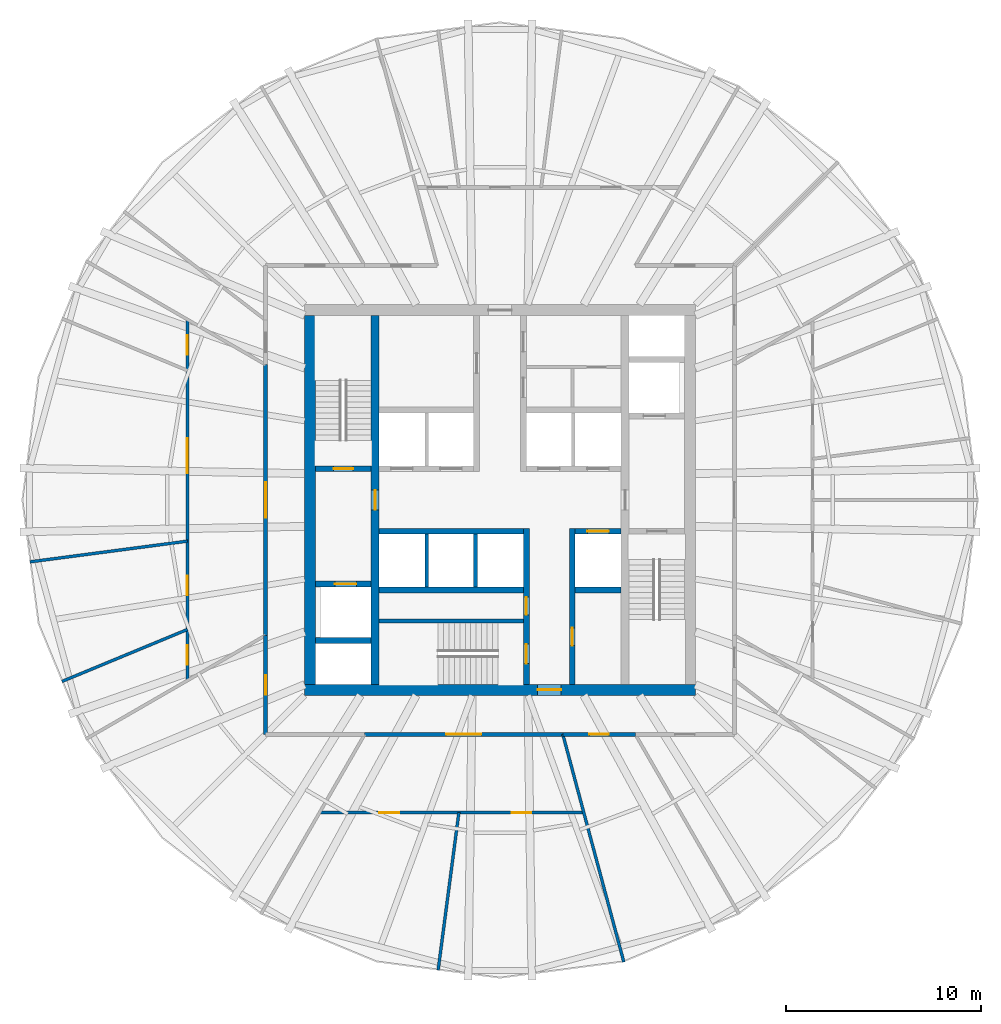
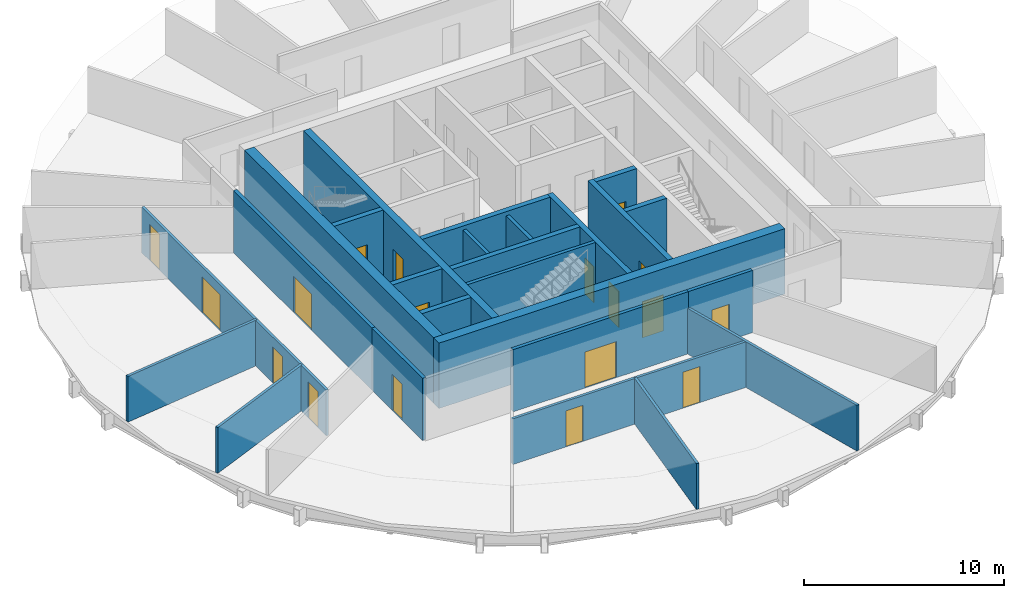
# One storey, part 3 of 6: 25 walls, 18 doors, 18 openings.
"""IFC4 building model written with IfcOpenShell, lengths in metres."""

from ifc_helpers import new_model, si_unit, direction, frame, frame_2d, origin, place, context, subcontext, project, spatial, rectangle, extrude, material, layer, layer_set, type_object, element, fill, save


model = new_model("IFC4")

# Units and contexts
model_context = context("Model", 3, precision=1e-05, world=origin(), true_north=direction((0.0, 1.0)))
body_context = subcontext(model_context, "Body", "Model", "MODEL_VIEW")
ifc_project = project(units=[si_unit("LENGTHUNIT", "METRE"), si_unit("AREAUNIT", "SQUARE_METRE"), si_unit("VOLUMEUNIT", "CUBIC_METRE"), si_unit("PLANEANGLEUNIT", "RADIAN"), si_unit("MASSUNIT", "GRAM", prefix="KILO")], contexts=[model_context])

# Site, building, storey
site_placement = place(None, origin())
site = spatial("IfcSite", under=ifc_project, at=site_placement, CompositionType="ELEMENT")
building_placement = place(site_placement, origin())
building = spatial("IfcBuilding", under=site, at=building_placement, Name="Golbaran Civic Tower", CompositionType="ELEMENT")
storey_placement = place(building_placement, frame((0.0, 0.0, 114.0)))
storey = spatial("IfcBuildingStorey", under=building, at=storey_placement, Name="L27", CompositionType="ELEMENT", Elevation=114.0)

# Wall, opening, door
ifc_material_1 = material(Name="Concrete C50/60", Category="concrete")
ifc_layer_1 = layer(ifc_material_1, 0.39990234375, Name="Concrete C50/60")
ifc_layer_set_1 = layer_set([ifc_layer_1], Name="Concrete C50/60")
wall_type_1 = type_object("IfcWallType", Name="CORE WALL CONCRETE 400", PredefinedType="SOLIDWALL", material=ifc_layer_set_1)
wall_1_placement = place(storey_placement, frame((-6.39990234375, -9.449951171875, 0.0), z_axis=(0.0, 0.0, 1.0), x_axis=(0.0, 1.0, 0.0)))
wall_1 = element("IfcWall", 1, at=wall_1_placement, inside=storey, type_object=wall_type_1, Name="Core wall IW L27", PredefinedType="SOLIDWALL", context=body_context, shape_type="SweptSolid", body=[
    extrude(rectangle(XDim=18.89990234375, YDim=0.39990234375, at=frame_2d((9.449951171875, 0.0))), origin(), (0.0, 0.0, 1.0), 4.0),
])
opening_1_placement = place(wall_1_placement, frame((8.949951171875, 0.0, 0.0)))
opening_1 = element("IfcOpeningElement", 2, at=opening_1_placement, cuts=wall_1, Name="Opening L27.FL1", PredefinedType="OPENING", context=body_context, shape_type="SweptSolid", body=[
    extrude(rectangle(XDim=1.0, YDim=2.199951171875, at=frame_2d((0.5, 1.10009765625))), frame((0.0, 0.2099609375, 0.0), z_axis=(0.0, -1.0, 0.0), x_axis=(1.0, 0.0, 0.0)), (0.0, 0.0, 1.0), 0.419921875),
])
ifc_material_2 = material(Name="Timber door set in steel frame", Category="steel")
door_type_1 = type_object("IfcDoorType", Name="STAIR DOOR 1000x2200", OperationType="SINGLE_SWING_LEFT", PredefinedType="DOOR", material=ifc_material_2)
door_1_placement = place(opening_1_placement, origin())
door_1 = element("IfcDoor", 3, at=door_1_placement, inside=storey, type_object=door_type_1, Name="Fire-fighting lobby FL1 door", OperationType="SINGLE_SWING_LEFT", OverallHeight=2.199951171875, OverallWidth=1.0, PredefinedType="DOOR", context=body_context, shape_type="SweptSolid", body=[
    extrude(rectangle(XDim=1.0, YDim=2.199951171875, at=frame_2d((0.5, 1.10009765625))), frame((0.0, 0.02490234375, 0.0), z_axis=(0.0, -1.0, 0.0), x_axis=(1.0, 0.0, 0.0)), (0.0, 0.0, 1.0), 0.050048828125),
])
fill(opening_1, door_1)

ifc_layer_2 = layer(ifc_material_1, 0.550048828125, Name="Concrete C50/60")
ifc_layer_set_2 = layer_set([ifc_layer_2], Name="Concrete C50/60")
wall_type_2 = type_object("IfcWallType", Name="CORE WALL CONCRETE 550", PredefinedType="SOLIDWALL", material=ifc_layer_set_2)
wall_2_placement = place(storey_placement, frame((10.0, -9.72509765625, 0.0), z_axis=(0.0, 0.0, 1.0), x_axis=(-1.0, 0.0, 0.0)))
wall_2 = element("IfcWall", 4, at=wall_2_placement, inside=storey, type_object=wall_type_2, Name="Core wall CS L27", PredefinedType="SOLIDWALL", context=body_context, shape_type="SweptSolid", body=[
    extrude(rectangle(XDim=20.0, YDim=0.550048828125, at=frame_2d((10.0, 0.0))), origin(), (0.0, 0.0, 1.0), 4.0),
])
opening_2_placement = place(wall_2_placement, frame((6.875, 0.0, 0.0)))
opening_2 = element("IfcOpeningElement", 5, at=opening_2_placement, cuts=wall_2, Name="Opening L27.CS", PredefinedType="OPENING", context=body_context, shape_type="SweptSolid", body=[
    extrude(rectangle(XDim=1.199951171875, YDim=2.199951171875, at=frame_2d((0.60009765625, 1.10009765625))), frame((0.0, 0.284912109375, 0.0), z_axis=(0.0, -1.0, 0.0), x_axis=(1.0, 0.0, 0.0)), (0.0, 0.0, 1.0), 0.570068359375),
])
door_type_2 = type_object("IfcDoorType", Name="CORE DOOR 1200x2200", OperationType="DOUBLE_DOOR_SINGLE_SWING", PredefinedType="DOOR", material=ifc_material_2)
door_2_placement = place(opening_2_placement, origin())
door_2 = element("IfcDoor", 6, at=door_2_placement, inside=storey, type_object=door_type_2, Name="Core door south", OperationType="DOUBLE_DOOR_SINGLE_SWING", OverallHeight=2.199951171875, OverallWidth=1.199951171875, PredefinedType="DOOR", context=body_context, shape_type="SweptSolid", body=[
    extrude(rectangle(XDim=1.199951171875, YDim=2.199951171875, at=frame_2d((0.60009765625, 1.10009765625))), frame((0.0, 0.02490234375, 0.0), z_axis=(0.0, -1.0, 0.0), x_axis=(1.0, 0.0, 0.0)), (0.0, 0.0, 1.0), 0.050048828125),
])
fill(opening_2, door_2)

# Wall
wall_3_placement = place(storey_placement, frame((-9.72509765625, 9.449951171875, 0.0), z_axis=(0.0, 0.0, 1.0), x_axis=(0.0, -1.0, 0.0)))
element("IfcWall", 7, at=wall_3_placement, inside=storey, type_object=wall_type_2, Name="Core wall CW L27", PredefinedType="SOLIDWALL", context=body_context, shape_type="SweptSolid", body=[
    extrude(rectangle(XDim=18.89990234375, YDim=0.550048828125, at=frame_2d((9.449951171875, 0.0))), origin(), (0.0, 0.0, 1.0), 4.0),
])

# Wall, opening, door
ifc_material_3 = material(Name="Gypsum board on steel studs, fire-rated", Category="steel")
ifc_layer_3 = layer(ifc_material_3, 0.199951171875, Name="Gypsum board on steel studs, fire-rated")
ifc_layer_set_3 = layer_set([ifc_layer_3], Name="Gypsum board on steel studs, fire-rated")
wall_type_3 = type_object("IfcWallType", Name="CORRIDOR WALL 200", PredefinedType="PARTITIONING", material=ifc_layer_set_3)
wall_4_placement = place(storey_placement, frame((-12.0, 6.92822265625, 0.0), z_axis=(0.0, 0.0, 1.0), x_axis=(0.0, -1.0, 0.0)))
wall_4 = element("IfcWall", 8, at=wall_4_placement, inside=storey, type_object=wall_type_3, Name="Corridor wall L27", PredefinedType="PARTITIONING", context=body_context, shape_type="SweptSolid", body=[
    extrude(rectangle(XDim=13.8564453125, YDim=0.199951171875, at=frame_2d((6.92822265625, 0.0))), origin(), (0.0, 0.0, 1.0), 3.800048828125),
])
opening_3_placement = place(wall_4_placement, frame((6.0283203125, 0.0, 0.0)))
opening_3 = element("IfcOpeningElement", 9, at=opening_3_placement, cuts=wall_4, Name="Opening L27.21", PredefinedType="OPENING", context=body_context, shape_type="SweptSolid", body=[
    extrude(rectangle(XDim=1.800048828125, YDim=2.199951171875, at=frame_2d((0.89990234375, 1.10009765625))), frame((0.0, 0.10986328125, 0.0), z_axis=(0.0, -1.0, 0.0), x_axis=(1.0, 0.0, 0.0)), (0.0, 0.0, 1.0), 0.219970703125),
])
door_type_3 = type_object("IfcDoorType", Name="OFFICE DOUBLE DOOR 1800x2200", OperationType="DOUBLE_DOOR_SINGLE_SWING", PredefinedType="DOOR", material=ifc_material_2)
door_3_placement = place(opening_3_placement, origin())
door_3 = element("IfcDoor", 10, at=door_3_placement, inside=storey, type_object=door_type_3, Name="Secretariat door L27", OperationType="DOUBLE_DOOR_SINGLE_SWING", OverallHeight=2.199951171875, OverallWidth=1.800048828125, PredefinedType="DOOR", context=body_context, shape_type="SweptSolid", body=[
    extrude(rectangle(XDim=1.800048828125, YDim=2.199951171875, at=frame_2d((0.89990234375, 1.10009765625))), frame((0.0, 0.02490234375, 0.0), z_axis=(0.0, -1.0, 0.0), x_axis=(1.0, 0.0, 0.0)), (0.0, 0.0, 1.0), 0.050048828125),
])
fill(opening_3, door_3)

wall_5_placement = place(storey_placement, frame((-12.0, -6.92822265625, 0.0), z_axis=(0.0, 0.0, 1.0), x_axis=(0.0, -1.0, 0.0)))
wall_5 = element("IfcWall", 11, at=wall_5_placement, inside=storey, type_object=wall_type_3, Name="Corridor wall L27", PredefinedType="PARTITIONING", context=body_context, shape_type="SweptSolid", body=[
    extrude(rectangle(XDim=5.07177734375, YDim=0.199951171875, at=frame_2d((2.535888671875, 0.0))), origin(), (0.0, 0.0, 1.0), 3.800048828125),
])
opening_4_placement = place(wall_5_placement, frame((2.035888671875, 0.0, 0.0)))
opening_4 = element("IfcOpeningElement", 12, at=opening_4_placement, cuts=wall_5, Name="Opening L27.22", PredefinedType="OPENING", context=body_context, shape_type="SweptSolid", body=[
    extrude(rectangle(XDim=1.0, YDim=2.199951171875, at=frame_2d((0.5, 1.10009765625))), frame((0.0, 0.10986328125, 0.0), z_axis=(0.0, -1.0, 0.0), x_axis=(1.0, 0.0, 0.0)), (0.0, 0.0, 1.0), 0.219970703125),
])
door_type_4 = type_object("IfcDoorType", Name="OFFICE DOOR 1000x2200", OperationType="SINGLE_SWING_LEFT", PredefinedType="DOOR", material=ifc_material_2)
door_4_placement = place(opening_4_placement, origin())
door_4 = element("IfcDoor", 13, at=door_4_placement, inside=storey, type_object=door_type_4, Name="File Room door L27", OperationType="SINGLE_SWING_RIGHT", OverallHeight=2.199951171875, OverallWidth=1.0, PredefinedType="DOOR", context=body_context, shape_type="SweptSolid", body=[
    extrude(rectangle(XDim=1.0, YDim=2.199951171875, at=frame_2d((0.5, 1.10009765625))), frame((0.0, 0.02490234375, 0.0), z_axis=(0.0, -1.0, 0.0), x_axis=(1.0, 0.0, 0.0)), (0.0, 0.0, 1.0), 0.050048828125),
])
fill(opening_4, door_4)

wall_6_placement = place(storey_placement, frame((-6.92822265625, -12.0, 0.0), z_axis=(0.0, 0.0, 1.0), x_axis=(1.0, 0.0, 0.0)))
wall_6 = element("IfcWall", 14, at=wall_6_placement, inside=storey, type_object=wall_type_3, Name="Corridor wall L27", PredefinedType="PARTITIONING", context=body_context, shape_type="SweptSolid", body=[
    extrude(rectangle(XDim=10.1435546875, YDim=0.199951171875, at=frame_2d((5.07177734375, 0.0))), origin(), (0.0, 0.0, 1.0), 3.800048828125),
])
opening_5_placement = place(wall_6_placement, frame((4.171875, 0.0, 0.0)))
opening_5 = element("IfcOpeningElement", 15, at=opening_5_placement, cuts=wall_6, Name="Opening L27.23", PredefinedType="OPENING", context=body_context, shape_type="SweptSolid", body=[
    extrude(rectangle(XDim=1.800048828125, YDim=2.199951171875, at=frame_2d((0.89990234375, 1.10009765625))), frame((0.0, 0.10986328125, 0.0), z_axis=(0.0, -1.0, 0.0), x_axis=(1.0, 0.0, 0.0)), (0.0, 0.0, 1.0), 0.219970703125),
])
door_5_placement = place(opening_5_placement, origin())
door_5 = element("IfcDoor", 16, at=door_5_placement, inside=storey, type_object=door_type_3, Name="Secretariat door L27", OperationType="DOUBLE_DOOR_SINGLE_SWING", OverallHeight=2.199951171875, OverallWidth=1.800048828125, PredefinedType="DOOR", context=body_context, shape_type="SweptSolid", body=[
    extrude(rectangle(XDim=1.800048828125, YDim=2.199951171875, at=frame_2d((0.89990234375, 1.10009765625))), frame((0.0, 0.02490234375, 0.0), z_axis=(0.0, -1.0, 0.0), x_axis=(1.0, 0.0, 0.0)), (0.0, 0.0, 1.0), 0.050048828125),
])
fill(opening_5, door_5)

wall_7_placement = place(storey_placement, frame((3.21533203125, -12.0, 0.0), z_axis=(0.0, 0.0, 1.0), x_axis=(1.0, 0.0, 0.0)))
wall_7 = element("IfcWall", 17, at=wall_7_placement, inside=storey, type_object=wall_type_3, Name="Corridor wall L27", PredefinedType="PARTITIONING", context=body_context, shape_type="SweptSolid", body=[
    extrude(rectangle(XDim=3.712890625, YDim=0.199951171875, at=frame_2d((1.8564453125, 0.0))), origin(), (0.0, 0.0, 1.0), 3.800048828125),
])
opening_6_placement = place(wall_7_placement, frame((1.3564453125, 0.0, 0.0)))
opening_6 = element("IfcOpeningElement", 18, at=opening_6_placement, cuts=wall_7, Name="Opening L27.24", PredefinedType="OPENING", context=body_context, shape_type="SweptSolid", body=[
    extrude(rectangle(XDim=1.0, YDim=2.199951171875, at=frame_2d((0.5, 1.10009765625))), frame((0.0, 0.10986328125, 0.0), z_axis=(0.0, -1.0, 0.0), x_axis=(1.0, 0.0, 0.0)), (0.0, 0.0, 1.0), 0.219970703125),
])
door_6_placement = place(opening_6_placement, origin())
door_6 = element("IfcDoor", 19, at=door_6_placement, inside=storey, type_object=door_type_4, Name="Meeting Room door L27", OperationType="SINGLE_SWING_LEFT", OverallHeight=2.199951171875, OverallWidth=1.0, PredefinedType="DOOR", context=body_context, shape_type="SweptSolid", body=[
    extrude(rectangle(XDim=1.0, YDim=2.199951171875, at=frame_2d((0.5, 1.10009765625))), frame((0.0, 0.02490234375, 0.0), z_axis=(0.0, -1.0, 0.0), x_axis=(1.0, 0.0, 0.0)), (0.0, 0.0, 1.0), 0.050048828125),
])
fill(opening_6, door_6)

# Walls
ifc_material_4 = material(Name="Concrete block", Category="concrete")
ifc_layer_4 = layer(ifc_material_4, 0.199951171875, Name="Concrete block")
ifc_layer_set_4 = layer_set([ifc_layer_4], Name="Concrete block")
wall_type_4 = type_object("IfcWallType", Name="LIFT SEPARATOR WALL 200", PredefinedType="SOLIDWALL", material=ifc_layer_set_4)
for number, where, z_axis, x_axis, name in (
    (20, (-3.75, -1.75, 0.0), (0.0, 0.0, 1.0), (0.0, -1.0, 0.0), "Core partition SSW L27"),
    (21, (-1.25, -1.75, 0.0), (0.0, 0.0, 1.0), (0.0, -1.0, 0.0), "Core partition SSM L27"),
):
    element("IfcWall", number, at=place(storey_placement, frame(where, z_axis=z_axis, x_axis=x_axis)), inside=storey, type_object=wall_type_4, Name=name, PredefinedType="SOLIDWALL", context=body_context, shape_type="SweptSolid", body=[
        extrude(rectangle(XDim=2.699951171875, YDim=0.199951171875, at=frame_2d((1.35009765625, 0.0))), origin(), (0.0, 0.0, 1.0), 3.75),
    ])
ifc_material_5 = material(Name="Gypsum board on steel studs", Category="steel")
ifc_layer_5 = layer(ifc_material_5, 0.14990234375, Name="Gypsum board on steel studs")
ifc_layer_set_5 = layer_set([ifc_layer_5], Name="Gypsum board on steel studs")
wall_type_5 = type_object("IfcWallType", Name="OFFICE PARTITION 150", PredefinedType="PARTITIONING", material=ifc_layer_set_5)
wall_8_placement = place(storey_placement, frame((3.21533203125, -12.0, 0.0), z_axis=(0.0, 0.0, 1.0), x_axis=(0.258814986396, -0.965926913807, 0.0)))
element("IfcWall", 22, at=wall_8_placement, inside=storey, type_object=wall_type_5, Name="Partition 285 L27", PredefinedType="PARTITIONING", context=body_context, shape_type="SweptSolid", body=[
    extrude(rectangle(XDim=12.06396484375, YDim=0.14990234375, at=frame_2d((6.031982421875, 0.0))), origin(), (0.0, 0.0, 1.0), 2.7900390625),
])

# Wall, openings, doors
wall_9_placement = place(storey_placement, frame((-16.0, 9.237548828125, 0.0), z_axis=(0.0, 0.0, 1.0), x_axis=(0.0, -1.0, 0.0)))
wall_9 = element("IfcWall", 23, at=wall_9_placement, inside=storey, type_object=wall_type_5, Name="Suite partition L27", PredefinedType="PARTITIONING", context=body_context, shape_type="SweptSolid", body=[
    extrude(rectangle(XDim=18.47509765625, YDim=0.14990234375, at=frame_2d((9.237548828125, 0.0))), origin(), (0.0, 0.0, 1.0), 2.7900390625),
])
opening_7_placement = place(wall_9_placement, frame((0.80517578125, 0.0, 0.0)))
opening_7 = element("IfcOpeningElement", 24, at=opening_7_placement, cuts=wall_9, Name="Opening L27.09", PredefinedType="OPENING", context=body_context, shape_type="SweptSolid", body=[
    extrude(rectangle(XDim=1.0, YDim=2.199951171875, at=frame_2d((0.5, 1.10009765625))), frame((0.0, 0.0849609375, 0.0), z_axis=(0.0, -1.0, 0.0), x_axis=(1.0, 0.0, 0.0)), (0.0, 0.0, 1.0), 0.169921875),
])
opening_8_placement = place(wall_9_placement, frame((6.0771484375, 0.0, 0.0)))
opening_8 = element("IfcOpeningElement", 25, at=opening_8_placement, cuts=wall_9, Name="Opening L27.10", PredefinedType="OPENING", context=body_context, shape_type="SweptSolid", body=[
    extrude(rectangle(XDim=1.800048828125, YDim=2.199951171875, at=frame_2d((0.89990234375, 1.10009765625))), frame((0.0, 0.0849609375, 0.0), z_axis=(0.0, -1.0, 0.0), x_axis=(1.0, 0.0, 0.0)), (0.0, 0.0, 1.0), 0.169921875),
])
opening_9_placement = place(wall_9_placement, frame((13.1044921875, 0.0, 0.0)))
opening_9 = element("IfcOpeningElement", 26, at=opening_9_placement, cuts=wall_9, Name="Opening L27.11", PredefinedType="OPENING", context=body_context, shape_type="SweptSolid", body=[
    extrude(rectangle(XDim=1.0, YDim=2.199951171875, at=frame_2d((0.5, 1.10009765625))), frame((0.0, 0.0849609375, 0.0), z_axis=(0.0, -1.0, 0.0), x_axis=(1.0, 0.0, 0.0)), (0.0, 0.0, 1.0), 0.169921875),
])
opening_10_placement = place(wall_9_placement, frame((16.670166015625, 0.0, 0.0)))
opening_10 = element("IfcOpeningElement", 27, at=opening_10_placement, cuts=wall_9, Name="Opening L27.12", PredefinedType="OPENING", context=body_context, shape_type="SweptSolid", body=[
    extrude(rectangle(XDim=1.0, YDim=2.199951171875, at=frame_2d((0.5, 1.10009765625))), frame((0.0, 0.0849609375, 0.0), z_axis=(0.0, -1.0, 0.0), x_axis=(1.0, 0.0, 0.0)), (0.0, 0.0, 1.0), 0.169921875),
])
door_7_placement = place(opening_7_placement, origin())
door_7 = element("IfcDoor", 28, at=door_7_placement, inside=storey, type_object=door_type_4, Name="Director's Office door L27", OperationType="SINGLE_SWING_LEFT", OverallHeight=2.199951171875, OverallWidth=1.0, PredefinedType="DOOR", context=body_context, shape_type="SweptSolid", body=[
    extrude(rectangle(XDim=1.0, YDim=2.199951171875, at=frame_2d((0.5, 1.10009765625))), frame((0.0, 0.02490234375, 0.0), z_axis=(0.0, -1.0, 0.0), x_axis=(1.0, 0.0, 0.0)), (0.0, 0.0, 1.0), 0.050048828125),
])
fill(opening_7, door_7)
door_8_placement = place(opening_9_placement, origin())
door_8 = element("IfcDoor", 29, at=door_8_placement, inside=storey, type_object=door_type_4, Name="Office door L27", OperationType="SINGLE_SWING_RIGHT", OverallHeight=2.199951171875, OverallWidth=1.0, PredefinedType="DOOR", context=body_context, shape_type="SweptSolid", body=[
    extrude(rectangle(XDim=1.0, YDim=2.199951171875, at=frame_2d((0.5, 1.10009765625))), frame((0.0, 0.02490234375, 0.0), z_axis=(0.0, -1.0, 0.0), x_axis=(1.0, 0.0, 0.0)), (0.0, 0.0, 1.0), 0.050048828125),
])
fill(opening_9, door_8)
door_9_placement = place(opening_10_placement, origin())
door_9 = element("IfcDoor", 30, at=door_9_placement, inside=storey, type_object=door_type_4, Name="Office door L27", OperationType="SINGLE_SWING_RIGHT", OverallHeight=2.199951171875, OverallWidth=1.0, PredefinedType="DOOR", context=body_context, shape_type="SweptSolid", body=[
    extrude(rectangle(XDim=1.0, YDim=2.199951171875, at=frame_2d((0.5, 1.10009765625))), frame((0.0, 0.02490234375, 0.0), z_axis=(0.0, -1.0, 0.0), x_axis=(1.0, 0.0, 0.0)), (0.0, 0.0, 1.0), 0.050048828125),
])
fill(opening_10, door_9)
door_10_placement = place(opening_8_placement, origin())
door_10 = element("IfcDoor", 31, at=door_10_placement, inside=storey, type_object=door_type_3, Name="Office door L27", OperationType="DOUBLE_DOOR_SINGLE_SWING", OverallHeight=2.199951171875, OverallWidth=1.800048828125, PredefinedType="DOOR", context=body_context, shape_type="SweptSolid", body=[
    extrude(rectangle(XDim=1.800048828125, YDim=2.199951171875, at=frame_2d((0.89990234375, 1.10009765625))), frame((0.0, 0.02490234375, 0.0), z_axis=(0.0, -1.0, 0.0), x_axis=(1.0, 0.0, 0.0)), (0.0, 0.0, 1.0), 0.050048828125),
])
fill(opening_8, door_10)

# Walls
wall_10_placement = place(storey_placement, frame((-16.0, -2.1064453125, 0.0), z_axis=(0.0, 0.0, 1.0), x_axis=(-0.99144398145, -0.13053287573, 0.0)))
element("IfcWall", 32, at=wall_10_placement, inside=storey, type_object=wall_type_5, Name="Partition 187.5 L27", PredefinedType="PARTITIONING", context=body_context, shape_type="SweptSolid", body=[
    extrude(rectangle(XDim=8.1396484375, YDim=0.14990234375, at=frame_2d((4.06982421875, 0.0))), origin(), (0.0, 0.0, 1.0), 2.7900390625),
])
wall_11_placement = place(storey_placement, frame((-16.0, -6.62744140625, 0.0), z_axis=(0.0, 0.0, 1.0), x_axis=(-0.923876163616, -0.382691565496, 0.0)))
element("IfcWall", 33, at=wall_11_placement, inside=storey, type_object=wall_type_5, Name="Partition 202.5 L27", PredefinedType="PARTITIONING", context=body_context, shape_type="SweptSolid", body=[
    extrude(rectangle(XDim=6.95947265625, YDim=0.14990234375, at=frame_2d((3.479736328125, 0.0))), origin(), (0.0, 0.0, 1.0), 2.7900390625),
])

# Wall, openings, doors
wall_12_placement = place(storey_placement, frame((-9.237548828125, -16.0, 0.0), z_axis=(0.0, 0.0, 1.0), x_axis=(1.0, 0.0, 0.0)))
wall_12 = element("IfcWall", 34, at=wall_12_placement, inside=storey, type_object=wall_type_5, Name="Suite partition L27", PredefinedType="PARTITIONING", context=body_context, shape_type="SweptSolid", body=[
    extrude(rectangle(XDim=13.524658203125, YDim=0.14990234375, at=frame_2d((6.76220703125, 0.0))), origin(), (0.0, 0.0, 1.0), 2.7900390625),
])
opening_11_placement = place(wall_12_placement, frame((3.065673828125, 0.0, 0.0)))
opening_11 = element("IfcOpeningElement", 35, at=opening_11_placement, cuts=wall_12, Name="Opening L27.13", PredefinedType="OPENING", context=body_context, shape_type="SweptSolid", body=[
    extrude(rectangle(XDim=1.0, YDim=2.199951171875, at=frame_2d((0.5, 1.10009765625))), frame((0.0, 0.0849609375, 0.0), z_axis=(0.0, -1.0, 0.0), x_axis=(1.0, 0.0, 0.0)), (0.0, 0.0, 1.0), 0.169921875),
])
opening_12_placement = place(wall_12_placement, frame((9.827880859375, 0.0, 0.0)))
opening_12 = element("IfcOpeningElement", 36, at=opening_12_placement, cuts=wall_12, Name="Opening L27.14", PredefinedType="OPENING", context=body_context, shape_type="SweptSolid", body=[
    extrude(rectangle(XDim=1.0, YDim=2.199951171875, at=frame_2d((0.5, 1.10009765625))), frame((0.0, 0.0849609375, 0.0), z_axis=(0.0, -1.0, 0.0), x_axis=(1.0, 0.0, 0.0)), (0.0, 0.0, 1.0), 0.169921875),
])
door_11_placement = place(opening_11_placement, origin())
door_11 = element("IfcDoor", 37, at=door_11_placement, inside=storey, type_object=door_type_4, Name="Director's Office door L27", OperationType="SINGLE_SWING_LEFT", OverallHeight=2.199951171875, OverallWidth=1.0, PredefinedType="DOOR", context=body_context, shape_type="SweptSolid", body=[
    extrude(rectangle(XDim=1.0, YDim=2.199951171875, at=frame_2d((0.5, 1.10009765625))), frame((0.0, 0.02490234375, 0.0), z_axis=(0.0, -1.0, 0.0), x_axis=(1.0, 0.0, 0.0)), (0.0, 0.0, 1.0), 0.050048828125),
])
fill(opening_11, door_11)
door_12_placement = place(opening_12_placement, origin())
door_12 = element("IfcDoor", 38, at=door_12_placement, inside=storey, type_object=door_type_4, Name="Director's Office door L27", OperationType="SINGLE_SWING_RIGHT", OverallHeight=2.199951171875, OverallWidth=1.0, PredefinedType="DOOR", context=body_context, shape_type="SweptSolid", body=[
    extrude(rectangle(XDim=1.0, YDim=2.199951171875, at=frame_2d((0.5, 1.10009765625))), frame((0.0, 0.02490234375, 0.0), z_axis=(0.0, -1.0, 0.0), x_axis=(1.0, 0.0, 0.0)), (0.0, 0.0, 1.0), 0.050048828125),
])
fill(opening_12, door_12)

# Walls
wall_13_placement = place(storey_placement, frame((-2.1064453125, -16.0, 0.0), z_axis=(0.0, 0.0, 1.0), x_axis=(-0.13053287573, -0.99144398145, 0.0)))
element("IfcWall", 39, at=wall_13_placement, inside=storey, type_object=wall_type_5, Name="Partition 262.5 L27", PredefinedType="PARTITIONING", context=body_context, shape_type="SweptSolid", body=[
    extrude(rectangle(XDim=8.1396484375, YDim=0.14990234375, at=frame_2d((4.06982421875, 0.0))), origin(), (0.0, 0.0, 1.0), 2.7900390625),
])
ifc_layer_6 = layer(ifc_material_1, 0.199951171875, Name="Concrete C50/60")
ifc_layer_set_6 = layer_set([ifc_layer_6], Name="Concrete C50/60")
wall_type_6 = type_object("IfcWallType", Name="SHAFT WALL CONCRETE 200", PredefinedType="SOLIDWALL", material=ifc_layer_set_6)
wall_14_placement = place(storey_placement, frame((-6.199951171875, -6.199951171875, 0.0), z_axis=(0.0, 0.0, 1.0), x_axis=(1.0, 0.0, 0.0)))
element("IfcWall", 40, at=wall_14_placement, inside=storey, type_object=wall_type_6, Name="Core wall S3N L27", PredefinedType="SOLIDWALL", context=body_context, shape_type="SweptSolid", body=[
    extrude(rectangle(XDim=7.39990234375, YDim=0.199951171875, at=frame_2d((3.699951171875, 0.0))), origin(), (0.0, 0.0, 1.0), 4.0),
])
ifc_layer_7 = layer(ifc_material_1, 0.300048828125, Name="Concrete C50/60")
ifc_layer_set_7 = layer_set([ifc_layer_7], Name="Concrete C50/60")
wall_type_7 = type_object("IfcWallType", Name="SHAFT WALL CONCRETE 300", PredefinedType="SOLIDWALL", material=ifc_layer_set_7)
wall_15_placement = place(storey_placement, frame((-6.199951171875, -1.60009765625, 0.0), z_axis=(0.0, 0.0, 1.0), x_axis=(1.0, 0.0, 0.0)))
element("IfcWall", 41, at=wall_15_placement, inside=storey, type_object=wall_type_7, Name="Core wall FSW L27", PredefinedType="SOLIDWALL", context=body_context, shape_type="SweptSolid", body=[
    extrude(rectangle(XDim=7.39990234375, YDim=0.300048828125, at=frame_2d((3.699951171875, 0.0))), origin(), (0.0, 0.0, 1.0), 4.0),
])

# Wall, opening, door
wall_16_placement = place(storey_placement, frame((3.85009765625, -1.60009765625, 0.0), z_axis=(0.0, 0.0, 1.0), x_axis=(1.0, 0.0, 0.0)))
wall_16 = element("IfcWall", 42, at=wall_16_placement, inside=storey, type_object=wall_type_7, Name="Core wall FSE L27", PredefinedType="SOLIDWALL", context=body_context, shape_type="SweptSolid", body=[
    extrude(rectangle(XDim=2.349853515625, YDim=0.300048828125, at=frame_2d((1.1748046875, 0.0))), origin(), (0.0, 0.0, 1.0), 4.0),
])
opening_13_placement = place(wall_16_placement, frame((0.625, 0.0, 0.0)))
opening_13 = element("IfcOpeningElement", 43, at=opening_13_placement, cuts=wall_16, Name="Opening L27.LD-V1", PredefinedType="OPENING", context=body_context, shape_type="SweptSolid", body=[
    extrude(rectangle(XDim=1.10009765625, YDim=2.199951171875, at=frame_2d((0.550048828125, 1.10009765625))), frame((0.0, 0.159912109375, 0.0), z_axis=(0.0, -1.0, 0.0), x_axis=(1.0, 0.0, 0.0)), (0.0, 0.0, 1.0), 0.320068359375),
])
ifc_material_6 = material(Name="Stainless steel", Category="steel")
door_type_5 = type_object("IfcDoorType", Name="LIFT LANDING DOOR 1100x2200", OperationType="SLIDING_TO_LEFT", PredefinedType="DOOR", material=ifc_material_6)
door_13_placement = place(opening_13_placement, origin())
door_13 = element("IfcDoor", 44, at=door_13_placement, inside=storey, type_object=door_type_5, Name="Lift landing door V1", OperationType="SLIDING_TO_LEFT", OverallHeight=2.199951171875, OverallWidth=1.10009765625, PredefinedType="DOOR", context=body_context, shape_type="SweptSolid", body=[
    extrude(rectangle(XDim=1.10009765625, YDim=2.199951171875, at=frame_2d((0.550048828125, 1.10009765625))), frame((0.0, 0.02490234375, 0.0), z_axis=(0.0, -1.0, 0.0), x_axis=(1.0, 0.0, 0.0)), (0.0, 0.0, 1.0), 0.050048828125),
])
fill(opening_13, door_13)

# Walls
wall_17_placement = place(storey_placement, frame((-6.199951171875, -4.60009765625, 0.0), z_axis=(0.0, 0.0, 1.0), x_axis=(1.0, 0.0, 0.0)))
element("IfcWall", 45, at=wall_17_placement, inside=storey, type_object=wall_type_7, Name="Core wall BSW L27", PredefinedType="SOLIDWALL", context=body_context, shape_type="SweptSolid", body=[
    extrude(rectangle(XDim=7.39990234375, YDim=0.300048828125, at=frame_2d((3.699951171875, 0.0))), origin(), (0.0, 0.0, 1.0), 4.0),
])
wall_18_placement = place(storey_placement, frame((3.85009765625, -4.60009765625, 0.0), z_axis=(0.0, 0.0, 1.0), x_axis=(1.0, 0.0, 0.0)))
element("IfcWall", 46, at=wall_18_placement, inside=storey, type_object=wall_type_7, Name="Core wall BSE L27", PredefinedType="SOLIDWALL", context=body_context, shape_type="SweptSolid", body=[
    extrude(rectangle(XDim=2.349853515625, YDim=0.300048828125, at=frame_2d((1.1748046875, 0.0))), origin(), (0.0, 0.0, 1.0), 4.0),
])

# Wall, openings, doors
wall_19_placement = place(storey_placement, frame((1.35009765625, -1.449951171875, 0.0), z_axis=(0.0, 0.0, 1.0), x_axis=(0.0, -1.0, 0.0)))
wall_19 = element("IfcWall", 47, at=wall_19_placement, inside=storey, type_object=wall_type_7, Name="Core wall PSW L27", PredefinedType="SOLIDWALL", context=body_context, shape_type="SweptSolid", body=[
    extrude(rectangle(XDim=8.0, YDim=0.300048828125, at=frame_2d((4.0, 0.0))), origin(), (0.0, 0.0, 1.0), 4.0),
])
opening_14_placement = place(wall_19_placement, frame((5.925048828125, 0.0, 0.0)))
opening_14 = element("IfcOpeningElement", 48, at=opening_14_placement, cuts=wall_19, Name="Opening L27.S3", PredefinedType="OPENING", context=body_context, shape_type="SweptSolid", body=[
    extrude(rectangle(XDim=1.0, YDim=2.199951171875, at=frame_2d((0.5, 1.10009765625))), frame((0.0, 0.159912109375, 0.0), z_axis=(0.0, -1.0, 0.0), x_axis=(1.0, 0.0, 0.0)), (0.0, 0.0, 1.0), 0.320068359375),
])
opening_15_placement = place(wall_19_placement, frame((3.52490234375, 0.0, 0.0)))
opening_15 = element("IfcOpeningElement", 49, at=opening_15_placement, cuts=wall_19, Name="Opening L27.RE", PredefinedType="OPENING", context=body_context, shape_type="SweptSolid", body=[
    extrude(rectangle(XDim=0.89990234375, YDim=2.199951171875, at=frame_2d((0.449951171875, 1.10009765625))), frame((0.0, 0.159912109375, 0.0), z_axis=(0.0, -1.0, 0.0), x_axis=(1.0, 0.0, 0.0)), (0.0, 0.0, 1.0), 0.320068359375),
])
door_type_6 = type_object("IfcDoorType", Name="RISER DOOR 900x2200", OperationType="SINGLE_SWING_LEFT", PredefinedType="DOOR", material=ifc_material_2)
door_14_placement = place(opening_15_placement, origin())
door_14 = element("IfcDoor", 50, at=door_14_placement, inside=storey, type_object=door_type_6, Name="Electrical riser door", OperationType="SINGLE_SWING_LEFT", OverallHeight=2.199951171875, OverallWidth=0.89990234375, PredefinedType="DOOR", context=body_context, shape_type="SweptSolid", body=[
    extrude(rectangle(XDim=0.89990234375, YDim=2.199951171875, at=frame_2d((0.449951171875, 1.10009765625))), frame((0.0, 0.02490234375, 0.0), z_axis=(0.0, -1.0, 0.0), x_axis=(1.0, 0.0, 0.0)), (0.0, 0.0, 1.0), 0.050048828125),
])
fill(opening_15, door_14)
door_15_placement = place(opening_14_placement, origin())
door_15 = element("IfcDoor", 51, at=door_15_placement, inside=storey, type_object=door_type_1, Name="Stair S3 door", OperationType="SINGLE_SWING_RIGHT", OverallHeight=2.199951171875, OverallWidth=1.0, PredefinedType="DOOR", context=body_context, shape_type="SweptSolid", body=[
    extrude(rectangle(XDim=1.0, YDim=2.199951171875, at=frame_2d((0.5, 1.10009765625))), frame((0.0, 0.02490234375, 0.0), z_axis=(0.0, -1.0, 0.0), x_axis=(1.0, 0.0, 0.0)), (0.0, 0.0, 1.0), 0.050048828125),
])
fill(opening_14, door_15)

# Wall, opening, door
wall_20_placement = place(storey_placement, frame((3.699951171875, -1.449951171875, 0.0), z_axis=(0.0, 0.0, 1.0), x_axis=(0.0, -1.0, 0.0)))
wall_20 = element("IfcWall", 52, at=wall_20_placement, inside=storey, type_object=wall_type_7, Name="Core wall PSE L27", PredefinedType="SOLIDWALL", context=body_context, shape_type="SweptSolid", body=[
    extrude(rectangle(XDim=8.0, YDim=0.300048828125, at=frame_2d((4.0, 0.0))), origin(), (0.0, 0.0, 1.0), 4.0),
])
opening_16_placement = place(wall_20_placement, frame((5.10009765625, 0.0, 0.0)))
opening_16 = element("IfcOpeningElement", 53, at=opening_16_placement, cuts=wall_20, Name="Opening L27.RM", PredefinedType="OPENING", context=body_context, shape_type="SweptSolid", body=[
    extrude(rectangle(XDim=0.89990234375, YDim=2.199951171875, at=frame_2d((0.449951171875, 1.10009765625))), frame((0.0, 0.159912109375, 0.0), z_axis=(0.0, -1.0, 0.0), x_axis=(1.0, 0.0, 0.0)), (0.0, 0.0, 1.0), 0.320068359375),
])
door_16_placement = place(opening_16_placement, origin())
door_16 = element("IfcDoor", 54, at=door_16_placement, inside=storey, type_object=door_type_6, Name="Mechanical riser door", OperationType="SINGLE_SWING_RIGHT", OverallHeight=2.199951171875, OverallWidth=0.89990234375, PredefinedType="DOOR", context=body_context, shape_type="SweptSolid", body=[
    extrude(rectangle(XDim=0.89990234375, YDim=2.199951171875, at=frame_2d((0.449951171875, 1.10009765625))), frame((0.0, 0.02490234375, 0.0), z_axis=(0.0, -1.0, 0.0), x_axis=(1.0, 0.0, 0.0)), (0.0, 0.0, 1.0), 0.050048828125),
])
fill(opening_16, door_16)

wall_21_placement = place(storey_placement, frame((-9.449951171875, 1.60009765625, 0.0), z_axis=(0.0, 0.0, 1.0), x_axis=(1.0, 0.0, 0.0)))
wall_21 = element("IfcWall", 55, at=wall_21_placement, inside=storey, type_object=wall_type_7, Name="Core wall XW1 L27", PredefinedType="SOLIDWALL", context=body_context, shape_type="SweptSolid", body=[
    extrude(rectangle(XDim=2.849853515625, YDim=0.300048828125, at=frame_2d((1.4248046875, 0.0))), origin(), (0.0, 0.0, 1.0), 4.0),
])
opening_17_placement = place(wall_21_placement, frame((0.925048828125, 0.0, 0.0)))
opening_17 = element("IfcOpeningElement", 56, at=opening_17_placement, cuts=wall_21, Name="Opening L27.S1", PredefinedType="OPENING", context=body_context, shape_type="SweptSolid", body=[
    extrude(rectangle(XDim=1.0, YDim=2.199951171875, at=frame_2d((0.5, 1.10009765625))), frame((0.0, 0.159912109375, 0.0), z_axis=(0.0, -1.0, 0.0), x_axis=(1.0, 0.0, 0.0)), (0.0, 0.0, 1.0), 0.320068359375),
])
door_17_placement = place(opening_17_placement, origin())
door_17 = element("IfcDoor", 57, at=door_17_placement, inside=storey, type_object=door_type_1, Name="Stair S1 door", OperationType="SINGLE_SWING_LEFT", OverallHeight=2.199951171875, OverallWidth=1.0, PredefinedType="DOOR", context=body_context, shape_type="SweptSolid", body=[
    extrude(rectangle(XDim=1.0, YDim=2.199951171875, at=frame_2d((0.5, 1.10009765625))), frame((0.0, 0.02490234375, 0.0), z_axis=(0.0, -1.0, 0.0), x_axis=(1.0, 0.0, 0.0)), (0.0, 0.0, 1.0), 0.050048828125),
])
fill(opening_17, door_17)

wall_22_placement = place(storey_placement, frame((-9.449951171875, -4.300048828125, 0.0), z_axis=(0.0, 0.0, 1.0), x_axis=(1.0, 0.0, 0.0)))
wall_22 = element("IfcWall", 58, at=wall_22_placement, inside=storey, type_object=wall_type_7, Name="Core wall XW2 L27", PredefinedType="SOLIDWALL", context=body_context, shape_type="SweptSolid", body=[
    extrude(rectangle(XDim=2.849853515625, YDim=0.300048828125, at=frame_2d((1.4248046875, 0.0))), origin(), (0.0, 0.0, 1.0), 4.0),
])
opening_18_placement = place(wall_22_placement, frame((1.0, 0.0, 0.0)))
opening_18 = element("IfcOpeningElement", 59, at=opening_18_placement, cuts=wall_22, Name="Opening L27.LD-F1", PredefinedType="OPENING", context=body_context, shape_type="SweptSolid", body=[
    extrude(rectangle(XDim=1.10009765625, YDim=2.199951171875, at=frame_2d((0.550048828125, 1.10009765625))), frame((0.0, 0.159912109375, 0.0), z_axis=(0.0, -1.0, 0.0), x_axis=(1.0, 0.0, 0.0)), (0.0, 0.0, 1.0), 0.320068359375),
])
door_18_placement = place(opening_18_placement, origin())
door_18 = element("IfcDoor", 60, at=door_18_placement, inside=storey, type_object=door_type_5, Name="Lift landing door F1", OperationType="SLIDING_TO_LEFT", OverallHeight=2.199951171875, OverallWidth=1.10009765625, PredefinedType="DOOR", context=body_context, shape_type="SweptSolid", body=[
    extrude(rectangle(XDim=1.10009765625, YDim=2.199951171875, at=frame_2d((0.550048828125, 1.10009765625))), frame((0.0, 0.02490234375, 0.0), z_axis=(0.0, -1.0, 0.0), x_axis=(1.0, 0.0, 0.0)), (0.0, 0.0, 1.0), 0.050048828125),
])
fill(opening_18, door_18)

# Wall
wall_23_placement = place(storey_placement, frame((-9.449951171875, -7.199951171875, 0.0), z_axis=(0.0, 0.0, 1.0), x_axis=(1.0, 0.0, 0.0)))
element("IfcWall", 61, at=wall_23_placement, inside=storey, type_object=wall_type_7, Name="Core wall XW3 L27", PredefinedType="SOLIDWALL", context=body_context, shape_type="SweptSolid", body=[
    extrude(rectangle(XDim=2.849853515625, YDim=0.300048828125, at=frame_2d((1.4248046875, 0.0))), origin(), (0.0, 0.0, 1.0), 4.0),
])

save(model, "model.ifc")
